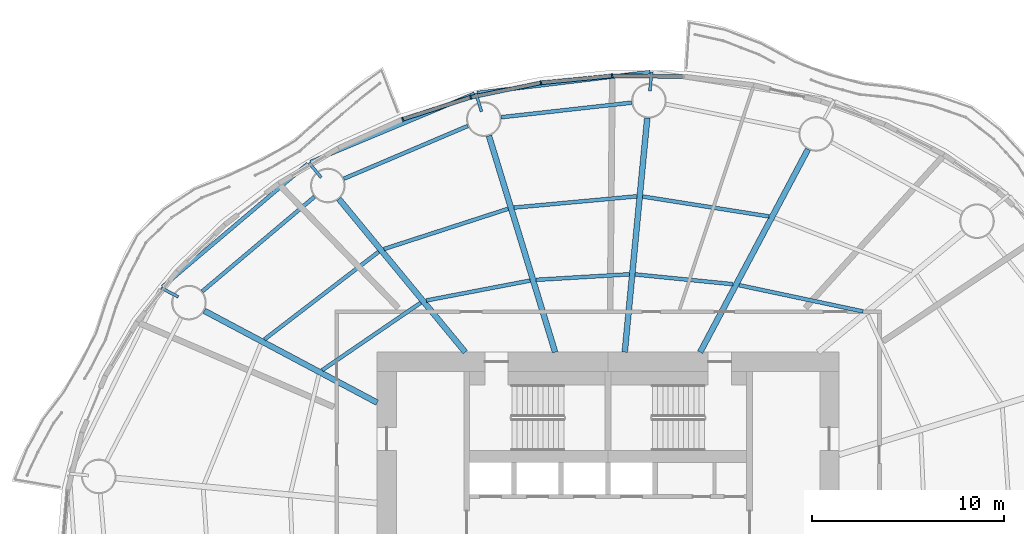
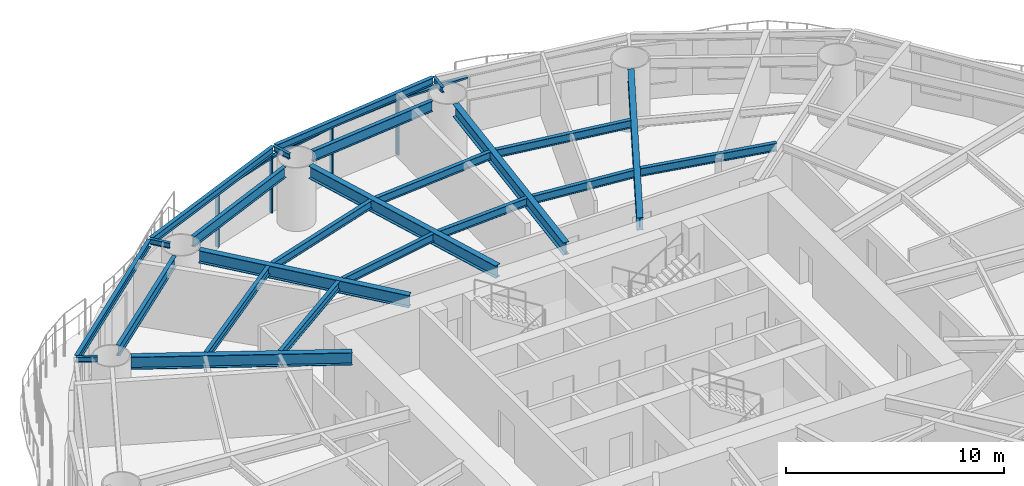
# One storey, part 5 of 16: 24 beams, 8 members, 4 elements without a shape of their own.
"""IFC4 building model written with IfcOpenShell, lengths in metres."""

from ifc_helpers import new_model, si_unit, direction, frame, origin, origin_2d, place, context, subcontext, project, spatial, rectangle, i_section, extrude, material, material_profile, profile_set, type_object, element, aggregate, save


model = new_model("IFC4")

# Units and contexts
model_context = context("Model", 3, precision=1e-05, world=origin(), true_north=direction((0.0, 1.0)))
body_context = subcontext(model_context, "Body", "Model", "MODEL_VIEW")
ifc_project = project(units=[si_unit("LENGTHUNIT", "METRE"), si_unit("AREAUNIT", "SQUARE_METRE"), si_unit("VOLUMEUNIT", "CUBIC_METRE"), si_unit("PLANEANGLEUNIT", "RADIAN"), si_unit("MASSUNIT", "GRAM", prefix="KILO")], contexts=[model_context])

# Site, building, storey
site_placement = place(None, origin())
site = spatial("IfcSite", under=ifc_project, at=site_placement, CompositionType="ELEMENT")
building_placement = place(site_placement, origin())
building = spatial("IfcBuilding", under=site, at=building_placement, Name="Vermilion Reach Broadcast Tower", CompositionType="ELEMENT")
storey_placement = place(building_placement, frame((0.0, 0.0, 69.300048828125)))
storey = spatial("IfcBuildingStorey", under=building, at=storey_placement, Name="L14", CompositionType="ELEMENT", Elevation=69.300048828125)

# Beams
ifc_material_1 = material(Name="Steel S355J2", Category="steel")
ifc_material_profile_1 = material_profile(ifc_material_1, i_section(OverallWidth=0.199951171875, OverallDepth=0.39990234375, WebThickness=0.008056640625, FlangeThickness=0.012939453125, at=origin_2d()), Name="S355J2 HN 400x200x8x13")
ifc_profile_set_1 = profile_set([ifc_material_profile_1], Name="Steel S355J2")
beam_type_1 = type_object("IfcBeamType", Name="EB1 HN 400x200x8x13", PredefinedType="BEAM", material=ifc_profile_set_1)
beam_1_placement = place(storey_placement, frame((-3.811279296875, 23.555419921875, 3.349853515625), z_axis=(-0.992750667769, -0.120191978284, 0.0), x_axis=(0.120191978284, -0.992750667769, 0.0)))
element("IfcBeam", 1, at=beam_1_placement, inside=storey, type_object=beam_type_1, Name="Edge beam EB1-04", PredefinedType="BEAM", context=body_context, shape_type="SweptSolid", body=[
    extrude(i_section(OverallWidth=0.199951171875, OverallDepth=0.39990234375, WebThickness=0.008056640625, FlangeThickness=0.012939453125, at=origin_2d()), origin(), (0.0, 0.0, 1.0), 9.04931640625),
])
beam_2_placement = place(storey_placement, frame((-12.940185546875, 22.4296875, 3.349853515625), z_axis=(-0.923107408911, -0.384542210445, 0.0), x_axis=(0.384542210445, -0.923107408911, 0.0)))
element("IfcBeam", 2, at=beam_2_placement, inside=storey, type_object=beam_type_1, Name="Edge beam EB1-05", PredefinedType="BEAM", context=body_context, shape_type="SweptSolid", body=[
    extrude(i_section(OverallWidth=0.199951171875, OverallDepth=0.39990234375, WebThickness=0.008056640625, FlangeThickness=0.012939453125, at=origin_2d()), origin(), (0.0, 0.0, 1.0), 9.239501953125),
])
beam_3_placement = place(storey_placement, frame((-21.5986328125, 18.798095703125, 3.349853515625), z_axis=(-0.76288880248, -0.646529717067, 0.0), x_axis=(0.646529717067, -0.76288880248, 0.0)))
element("IfcBeam", 3, at=beam_3_placement, inside=storey, type_object=beam_type_1, Name="Edge beam EB1-06", PredefinedType="BEAM", context=body_context, shape_type="SweptSolid", body=[
    extrude(i_section(OverallWidth=0.199951171875, OverallDepth=0.39990234375, WebThickness=0.008056640625, FlangeThickness=0.012939453125, at=origin_2d()), origin(), (0.0, 0.0, 1.0), 9.907470703125),
])
ifc_material_2 = material(Name="Steel S355J2", Category="steel")
ifc_material_profile_2 = material_profile(ifc_material_2, i_section(OverallWidth=0.300048828125, OverallDepth=0.699951171875, WebThickness=0.012939453125, FlangeThickness=0.02392578125, at=origin_2d()), Name="S355J2 HN 700x300x13x24")
ifc_profile_set_2 = profile_set([ifc_material_profile_2], Name="Steel S355J2")
beam_type_2 = type_object("IfcBeamType", Name="G1 HN 700x300x13x24", PredefinedType="BEAM", material=ifc_profile_set_2)
beam_4_placement = place(storey_placement, frame((-1.216552734375, 9.0, 3.199951171875), z_axis=(0.469312182262, 0.883032318537, 0.0), x_axis=(-0.883032318537, 0.469312182262, 0.0)))
element("IfcBeam", 4, at=beam_4_placement, inside=storey, type_object=beam_type_2, Name="Girder G1-03", PredefinedType="BEAM", context=body_context, shape_type="SweptSolid", body=[
    extrude(i_section(OverallWidth=0.300048828125, OverallDepth=0.699951171875, WebThickness=0.012939453125, FlangeThickness=0.02392578125, at=origin_2d()), origin(), (0.0, 0.0, 1.0), 11.94091796875),
])
beam_5_placement = place(storey_placement, frame((-5.135009765625, 9.0, 3.199951171875), z_axis=(0.09566673912, 0.995413419151, 0.0), x_axis=(-0.995413419151, 0.09566673912, 0.0)))
element("IfcBeam", 5, at=beam_5_placement, inside=storey, type_object=beam_type_2, Name="Girder G1-04", PredefinedType="BEAM", context=body_context, shape_type="SweptSolid", body=[
    extrude(i_section(OverallWidth=0.300048828125, OverallDepth=0.699951171875, WebThickness=0.012939453125, FlangeThickness=0.02392578125, at=origin_2d()), origin(), (0.0, 0.0, 1.0), 12.22412109375),
])
beam_6_placement = place(storey_placement, frame((-8.753173828125, 9.0, 3.199951171875), z_axis=(-0.292542302886, 0.95625258223, 0.0), x_axis=(-0.95625258223, -0.292542302886, 0.0)))
element("IfcBeam", 6, at=beam_6_placement, inside=storey, type_object=beam_type_2, Name="Girder G1-05", PredefinedType="BEAM", context=body_context, shape_type="SweptSolid", body=[
    extrude(i_section(OverallWidth=0.300048828125, OverallDepth=0.699951171875, WebThickness=0.012939453125, FlangeThickness=0.02392578125, at=origin_2d()), origin(), (0.0, 0.0, 1.0), 11.76220703125),
])
beam_7_placement = place(storey_placement, frame((-13.421630859375, 9.0, 3.199951171875), z_axis=(-0.636215165107, 0.77151167437, 0.0), x_axis=(-0.77151167437, -0.636215165107, 0.0)))
element("IfcBeam", 7, at=beam_7_placement, inside=storey, type_object=beam_type_2, Name="Girder G1-06", PredefinedType="BEAM", context=body_context, shape_type="SweptSolid", body=[
    extrude(i_section(OverallWidth=0.300048828125, OverallDepth=0.699951171875, WebThickness=0.012939453125, FlangeThickness=0.02392578125, at=origin_2d()), origin(), (0.0, 0.0, 1.0), 10.3251953125),
])
beam_8_placement = place(storey_placement, frame((-18.0, 6.3779296875, 3.199951171875), z_axis=(-0.883032139419, 0.469312519279, 0.0), x_axis=(-0.469312519279, -0.883032139419, 0.0)))
element("IfcBeam", 8, at=beam_8_placement, inside=storey, type_object=beam_type_2, Name="Girder G1-07", PredefinedType="BEAM", context=body_context, shape_type="SweptSolid", body=[
    extrude(i_section(OverallWidth=0.300048828125, OverallDepth=0.699951171875, WebThickness=0.012939453125, FlangeThickness=0.02392578125, at=origin_2d()), origin(), (0.0, 0.0, 1.0), 10.17529296875),
])
ifc_material_3 = material(Name="Steel S355J2", Category="steel")
ifc_material_profile_3 = material_profile(ifc_material_3, i_section(OverallWidth=0.14990234375, OverallDepth=0.300048828125, WebThickness=0.006591796875, FlangeThickness=0.009033203125, at=origin_2d()), Name="S355J2 HN 300x150x6.5x9")
ifc_profile_set_3 = profile_set([ifc_material_profile_3], Name="Steel S355J2")
beam_type_3 = type_object("IfcBeamType", Name="GS1 HN 300x150x6.5x9", PredefinedType="BEAM", material=ifc_profile_set_3)
beam_9_placement = place(storey_placement, frame((-3.830810546875, 22.569091796875, 3.39990234375), z_axis=(0.095707754417, 0.995409476419, 0.0), x_axis=(-0.995409476419, 0.095707754417, 0.0)))
element("IfcBeam", 9, at=beam_9_placement, inside=storey, type_object=beam_type_3, Name="Cantilever stub GS1-04", PredefinedType="BEAM", context=body_context, shape_type="SweptSolid", body=[
    extrude(i_section(OverallWidth=0.14990234375, OverallDepth=0.300048828125, WebThickness=0.006591796875, FlangeThickness=0.009033203125, at=origin_2d()), origin(), (0.0, 0.0, 1.0), 1.0),
])
beam_10_placement = place(storey_placement, frame((-12.578125, 21.50244140625, 3.39990234375), z_axis=(-0.292541120261, 0.956252944025, 0.0), x_axis=(-0.956252944025, -0.292541120261, 0.0)))
element("IfcBeam", 10, at=beam_10_placement, inside=storey, type_object=beam_type_3, Name="Cantilever stub GS1-05", PredefinedType="BEAM", context=body_context, shape_type="SweptSolid", body=[
    extrude(i_section(OverallWidth=0.14990234375, OverallDepth=0.300048828125, WebThickness=0.006591796875, FlangeThickness=0.009033203125, at=origin_2d()), origin(), (0.0, 0.0, 1.0), 0.999755859375),
])
for number, where, z_axis, x_axis, name in (
    (11, (-20.9052734375, 18.0751953125, 3.39990234375), (-0.636237674108, 0.771493112118, 0.0), (-0.771493112118, -0.636237674108, 0.0), "Cantilever stub GS1-06"),
    (12, (-28.33544921875, 11.870849609375, 3.39990234375), (-0.882967123333, 0.469434829463, 0.0), (-0.469434829463, -0.882967123333, 0.0), "Cantilever stub GS1-07"),
):
    element("IfcBeam", number, at=place(storey_placement, frame(where, z_axis=z_axis, x_axis=x_axis)), inside=storey, type_object=beam_type_3, Name=name, PredefinedType="BEAM", context=body_context, shape_type="SweptSolid", body=[
        extrude(i_section(OverallWidth=0.14990234375, OverallDepth=0.300048828125, WebThickness=0.006591796875, FlangeThickness=0.009033203125, at=origin_2d()), origin(), (0.0, 0.0, 1.0), 1.0),
    ])
ifc_material_4 = material(Name="Steel S355J2", Category="steel")
ifc_material_profile_4 = material_profile(ifc_material_4, i_section(OverallWidth=0.199951171875, OverallDepth=0.60009765625, WebThickness=0.010986328125, FlangeThickness=0.01708984375, at=origin_2d()), Name="S355J2 HN 600x200x11x17")
ifc_profile_set_4 = profile_set([ifc_material_profile_4], Name="Steel S355J2")
beam_type_4 = type_object("IfcBeamType", Name="RB1 HN 600x200x11x17", PredefinedType="BEAM", material=ifc_profile_set_4)
beam_11_placement = place(storey_placement, frame((-4.77392578125, 21.964111328125, 3.25), z_axis=(-0.993851439324, -0.110721798009, 0.0), x_axis=(0.110721798009, -0.993851439324, 0.0)))
element("IfcBeam", 13, at=beam_11_placement, inside=storey, type_object=beam_type_4, Name="Ring beam RB1-04", PredefinedType="BEAM", context=body_context, shape_type="SweptSolid", body=[
    extrude(i_section(OverallWidth=0.199951171875, OverallDepth=0.60009765625, WebThickness=0.010986328125, FlangeThickness=0.01708984375, at=origin_2d()), origin(), (0.0, 0.0, 1.0), 6.8310546875),
])
beam_12_placement = place(storey_placement, frame((-13.28564453125, 20.755859375, 3.25), z_axis=(-0.920220846584, -0.391399531825, 0.0), x_axis=(0.391399531825, -0.920220846584, 0.0)))
element("IfcBeam", 14, at=beam_12_placement, inside=storey, type_object=beam_type_4, Name="Ring beam RB1-05", PredefinedType="BEAM", context=body_context, shape_type="SweptSolid", body=[
    extrude(i_section(OverallWidth=0.199951171875, OverallDepth=0.60009765625, WebThickness=0.010986328125, FlangeThickness=0.01708984375, at=origin_2d()), origin(), (0.0, 0.0, 1.0), 7.008544921875),
])
beam_13_placement = place(storey_placement, frame((-21.251220703125, 17.080322265625, 3.25), z_axis=(-0.764512441084, -0.6446089725, 0.0), x_axis=(0.6446089725, -0.764512441084, 0.0)))
element("IfcBeam", 15, at=beam_13_placement, inside=storey, type_object=beam_type_4, Name="Ring beam RB1-06", PredefinedType="BEAM", context=body_context, shape_type="SweptSolid", body=[
    extrude(i_section(OverallWidth=0.199951171875, OverallDepth=0.60009765625, WebThickness=0.010986328125, FlangeThickness=0.01708984375, at=origin_2d()), origin(), (0.0, 0.0, 1.0), 7.6396484375),
])
ifc_material_5 = material(Name="Steel S355J2", Category="steel")
ifc_material_profile_5 = material_profile(ifc_material_5, i_section(OverallWidth=0.199951171875, OverallDepth=0.449951171875, WebThickness=0.009033203125, FlangeThickness=0.013916015625, at=origin_2d()), Name="S355J2 HN 450x200x9x14")
ifc_profile_set_5 = profile_set([ifc_material_profile_5], Name="Steel S355J2")
beam_type_5 = type_object("IfcBeamType", Name="SB1 HN 450x200x9x14", PredefinedType="BEAM", material=ifc_profile_set_5)
beam_14_placement = place(storey_placement, frame((7.24560546875, 11.1171875, 3.324951171875), z_axis=(-0.978270372412, 0.207333254596, 0.0), x_axis=(-0.207333254596, -0.978270372412, 0.0)))
element("IfcBeam", 16, at=beam_14_placement, inside=storey, type_object=beam_type_5, Name="Secondary beam SB1-02-1", PredefinedType="BEAM", context=body_context, shape_type="SweptSolid", body=[
    extrude(i_section(OverallWidth=0.199951171875, OverallDepth=0.449951171875, WebThickness=0.009033203125, FlangeThickness=0.013916015625, at=origin_2d()), origin(), (0.0, 0.0, 1.0), 6.584716796875),
])
beam_15_placement = place(storey_placement, frame((0.490234375, 12.531005859375, 3.324951171875), z_axis=(-0.995010199331, 0.099773259079, 0.0), x_axis=(-0.099773259079, -0.995010199331, 0.0)))
element("IfcBeam", 17, at=beam_15_placement, inside=storey, type_object=beam_type_5, Name="Secondary beam SB1-03-1", PredefinedType="BEAM", context=body_context, shape_type="SweptSolid", body=[
    extrude(i_section(OverallWidth=0.199951171875, OverallDepth=0.449951171875, WebThickness=0.009033203125, FlangeThickness=0.013916015625, at=origin_2d()), origin(), (0.0, 0.0, 1.0), 5.111572265625),
])
beam_16_placement = place(storey_placement, frame((2.36279296875, 16.05419921875, 3.324951171875), z_axis=(-0.987829548379, 0.155540294938, 0.0), x_axis=(-0.155540294938, -0.987829548379, 0.0)))
element("IfcBeam", 18, at=beam_16_placement, inside=storey, type_object=beam_type_5, Name="Secondary beam SB1-03-2", PredefinedType="BEAM", context=body_context, shape_type="SweptSolid", body=[
    extrude(i_section(OverallWidth=0.199951171875, OverallDepth=0.449951171875, WebThickness=0.009033203125, FlangeThickness=0.013916015625, at=origin_2d()), origin(), (0.0, 0.0, 1.0), 6.650634765625),
])
beam_17_placement = place(storey_placement, frame((-4.896728515625, 13.046875, 3.324951171875), z_axis=(-0.99823410974, -0.059402543307, 0.0), x_axis=(0.059402543307, -0.99823410974, 0.0)))
element("IfcBeam", 19, at=beam_17_placement, inside=storey, type_object=beam_type_5, Name="Secondary beam SB1-04-1", PredefinedType="BEAM", context=body_context, shape_type="SweptSolid", body=[
    extrude(i_section(OverallWidth=0.199951171875, OverallDepth=0.449951171875, WebThickness=0.009033203125, FlangeThickness=0.013916015625, at=origin_2d()), origin(), (0.0, 0.0, 1.0), 4.85791015625),
])
beam_18_placement = place(storey_placement, frame((-4.50732421875, 17.09814453125, 3.324951171875), z_axis=(-0.995818616382, -0.091352521952, 0.0), x_axis=(0.091352521952, -0.995818616382, 0.0)))
element("IfcBeam", 20, at=beam_18_placement, inside=storey, type_object=beam_type_5, Name="Secondary beam SB1-04-2", PredefinedType="BEAM", context=body_context, shape_type="SweptSolid", body=[
    extrude(i_section(OverallWidth=0.199951171875, OverallDepth=0.449951171875, WebThickness=0.009033203125, FlangeThickness=0.013916015625, at=origin_2d()), origin(), (0.0, 0.0, 1.0), 6.4140625),
])
beam_19_placement = place(storey_placement, frame((-10.04833984375, 12.720703125, 3.324951171875), z_axis=(-0.982151348822, -0.188092339045, 0.0), x_axis=(0.188092339045, -0.982151348822, 0.0)))
element("IfcBeam", 21, at=beam_19_placement, inside=storey, type_object=beam_type_5, Name="Secondary beam SB1-05-1", PredefinedType="BEAM", context=body_context, shape_type="SweptSolid", body=[
    extrude(i_section(OverallWidth=0.199951171875, OverallDepth=0.449951171875, WebThickness=0.009033203125, FlangeThickness=0.013916015625, at=origin_2d()), origin(), (0.0, 0.0, 1.0), 5.4931640625),
])
beam_20_placement = place(storey_placement, frame((-11.18994140625, 16.4521484375, 3.324951171875), z_axis=(-0.951332300844, -0.308166924523, 0.0), x_axis=(0.308166924523, -0.951332300844, 0.0)))
element("IfcBeam", 22, at=beam_20_placement, inside=storey, type_object=beam_type_5, Name="Secondary beam SB1-05-2", PredefinedType="BEAM", context=body_context, shape_type="SweptSolid", body=[
    extrude(i_section(OverallWidth=0.199951171875, OverallDepth=0.449951171875, WebThickness=0.009033203125, FlangeThickness=0.013916015625, at=origin_2d()), origin(), (0.0, 0.0, 1.0), 6.787841796875),
])
beam_21_placement = place(storey_placement, frame((-15.735595703125, 11.5703125, 3.324951171875), z_axis=(-0.825140253447, -0.564927926502, 0.0), x_axis=(0.564927926502, -0.825140253447, 0.0)))
element("IfcBeam", 23, at=beam_21_placement, inside=storey, type_object=beam_type_5, Name="Secondary beam SB1-06-1", PredefinedType="BEAM", context=body_context, shape_type="SweptSolid", body=[
    extrude(i_section(OverallWidth=0.199951171875, OverallDepth=0.449951171875, WebThickness=0.009033203125, FlangeThickness=0.013916015625, at=origin_2d()), origin(), (0.0, 0.0, 1.0), 6.20458984375),
])
beam_22_placement = place(storey_placement, frame((-17.920166015625, 14.21923828125, 3.324951171875), z_axis=(-0.793349617473, -0.60876628065, 0.0), x_axis=(0.60876628065, -0.793349617473, 0.0)))
element("IfcBeam", 24, at=beam_22_placement, inside=storey, type_object=beam_type_5, Name="Secondary beam SB1-06-2", PredefinedType="BEAM", context=body_context, shape_type="SweptSolid", body=[
    extrude(i_section(OverallWidth=0.199951171875, OverallDepth=0.449951171875, WebThickness=0.009033203125, FlangeThickness=0.013916015625, at=origin_2d()), origin(), (0.0, 0.0, 1.0), 7.486328125),
])

# Curtain wall, member
ifc_material_6 = material(Name="Low-e laminated clear glass in aluminium frame", Category="aluminium")
curtain_wall_type = type_object("IfcCurtainWallType", Name="Slot curtain wall", PredefinedType="NOTDEFINED", material=ifc_material_6)
placement = place(storey_placement, origin())
curtain_wall_1 = element("IfcCurtainWall", 25, at=placement, inside=storey, type_object=curtain_wall_type, Name="Slot curtain wall L14 11", PredefinedType="NOTDEFINED")
ifc_material_7 = material(Name="Anodised aluminium", Category="aluminium")
ifc_material_profile_6 = material_profile(ifc_material_7, rectangle(XDim=0.199951171875, YDim=0.080078125, at=origin_2d()), Name="Slot mullion 80 x 200")
ifc_profile_set_6 = profile_set([ifc_material_profile_6], Name="Anodised aluminium")
member_type_1 = type_object("IfcMemberType", Name="Slot mullion 80 x 200", PredefinedType="MULLION", material=ifc_profile_set_6)
member_1_placement = place(storey_placement, frame((-5.785888671875, 23.359130859375, 0.0), z_axis=(0.0, 0.0, 1.0), x_axis=(0.043167082942, -0.999067867039, 0.0)))
member_1 = element("IfcMember", 26, at=member_1_placement, type_object=member_type_1, Name="Slot mullion L14 11", PredefinedType="MULLION", context=body_context, shape_type="SweptSolid", body=[
    extrude(rectangle(XDim=0.199951171875, YDim=0.080078125, at=origin_2d()), origin(), (0.0, 0.0, 1.0), 3.14990234375),
])

curtain_wall_2 = element("IfcCurtainWall", 27, at=placement, inside=storey, type_object=curtain_wall_type, Name="Slot curtain wall L14 12", PredefinedType="NOTDEFINED")
member_2_placement = place(storey_placement, frame((-9.494384765625, 22.99755859375, 0.0), z_axis=(0.0, 0.0, 1.0), x_axis=(0.150225639679, -0.988651737056, 0.0)))
member_2 = element("IfcMember", 28, at=member_2_placement, type_object=member_type_1, Name="Slot mullion L14 12", PredefinedType="MULLION", context=body_context, shape_type="SweptSolid", body=[
    extrude(rectangle(XDim=0.199951171875, YDim=0.080078125, at=origin_2d()), origin(), (0.0, 0.0, 1.0), 3.14990234375),
])

# Curtain wall, members
curtain_wall_3 = element("IfcCurtainWall", 29, at=placement, inside=storey, type_object=curtain_wall_type, Name="Slot curtain wall L14 13", PredefinedType="NOTDEFINED")
member_3_placement = place(storey_placement, frame((-13.14306640625, 22.2412109375, 0.0), z_axis=(0.0, 0.0, 1.0), x_axis=(0.255546020951, -0.966796892411, 0.0)))
member_3 = element("IfcMember", 30, at=member_3_placement, type_object=member_type_1, Name="Slot mullion L14 13", PredefinedType="MULLION", context=body_context, shape_type="SweptSolid", body=[
    extrude(rectangle(XDim=0.199951171875, YDim=0.080078125, at=origin_2d()), origin(), (0.0, 0.0, 1.0), 3.14990234375),
])
member_4_placement = place(storey_placement, frame((-16.668701171875, 21.1025390625, 0.0), z_axis=(0.0, 0.0, 1.0), x_axis=(0.359035824318, -0.933323779219, 0.0)))
member_4 = element("IfcMember", 31, at=member_4_placement, type_object=member_type_1, Name="Slot mullion L14 14", PredefinedType="MULLION", context=body_context, shape_type="SweptSolid", body=[
    extrude(rectangle(XDim=0.199951171875, YDim=0.080078125, at=origin_2d()), origin(), (0.0, 0.0, 1.0), 3.14990234375),
])

# Curtain wall, member
curtain_wall_4 = element("IfcCurtainWall", 32, at=placement, inside=storey, type_object=curtain_wall_type, Name="Slot curtain wall L14 10", PredefinedType="NOTDEFINED")
ifc_material_8 = material(Name="Anodised aluminium", Category="aluminium")
ifc_material_profile_7 = material_profile(ifc_material_8, rectangle(XDim=0.199951171875, YDim=0.10009765625, at=origin_2d()), Name="Slot transom 200 x 100")
ifc_profile_set_7 = profile_set([ifc_material_profile_7], Name="Anodised aluminium")
member_type_2 = type_object("IfcMemberType", Name="Slot transom 200 x 100", PredefinedType="USERDEFINED", material=ifc_profile_set_7)
member_5_placement = place(storey_placement, frame((-2.12109375, 23.319580078125, 3.099853515625), z_axis=(-0.999941937634, 0.010775962149, 0.0), x_axis=(-0.010775962149, -0.999941937634, 0.0)))
member_5 = element("IfcMember", 33, at=member_5_placement, type_object=member_type_2, Name="Slot transom L14 10.1", ObjectType="TRANSOM", PredefinedType="USERDEFINED", context=body_context, shape_type="SweptSolid", body=[
    extrude(rectangle(XDim=0.199951171875, YDim=0.10009765625, at=origin_2d()), origin(), (0.0, 0.0, 1.0), 3.625),
])
aggregate(curtain_wall_4, [member_5])

# Member
member_6_placement = place(storey_placement, frame((-5.82568359375, 23.355224609375, 3.099853515625), z_axis=(-0.995282049015, -0.097023929563, 0.0), x_axis=(0.097023929563, -0.995282049015, 0.0)))
member_6 = element("IfcMember", 34, at=member_6_placement, type_object=member_type_2, Name="Slot transom L14 11.1", ObjectType="TRANSOM", PredefinedType="USERDEFINED", context=body_context, shape_type="SweptSolid", body=[
    extrude(rectangle(XDim=0.199951171875, YDim=0.10009765625, at=origin_2d()), origin(), (0.0, 0.0, 1.0), 3.64599609375),
])

aggregate(curtain_wall_1, [member_1, member_6])

member_7_placement = place(storey_placement, frame((-9.53369140625, 22.989501953125, 3.099853515625), z_axis=(-0.97917604709, -0.20301297694, 0.0), x_axis=(0.20301297694, -0.97917604709, 0.0)))
member_7 = element("IfcMember", 35, at=member_7_placement, type_object=member_type_2, Name="Slot transom L14 12.1", ObjectType="TRANSOM", PredefinedType="USERDEFINED", context=body_context, shape_type="SweptSolid", body=[
    extrude(rectangle(XDim=0.199951171875, YDim=0.10009765625, at=origin_2d()), origin(), (0.0, 0.0, 1.0), 3.646240234375),
])

aggregate(curtain_wall_2, [member_2, member_7])

member_8_placement = place(storey_placement, frame((-13.18115234375, 22.228759765625, 3.099853515625), z_axis=(-0.951605092967, -0.307323521779, 0.0), x_axis=(0.307323521779, -0.951605092967, 0.0)))
member_8 = element("IfcMember", 36, at=member_8_placement, type_object=member_type_2, Name="Slot transom L14 13.1", ObjectType="TRANSOM", PredefinedType="USERDEFINED", context=body_context, shape_type="SweptSolid", body=[
    extrude(rectangle(XDim=0.199951171875, YDim=0.10009765625, at=origin_2d()), origin(), (0.0, 0.0, 1.0), 3.625),
])

aggregate(curtain_wall_3, [member_3, member_4, member_8])

save(model, "model.ifc")
